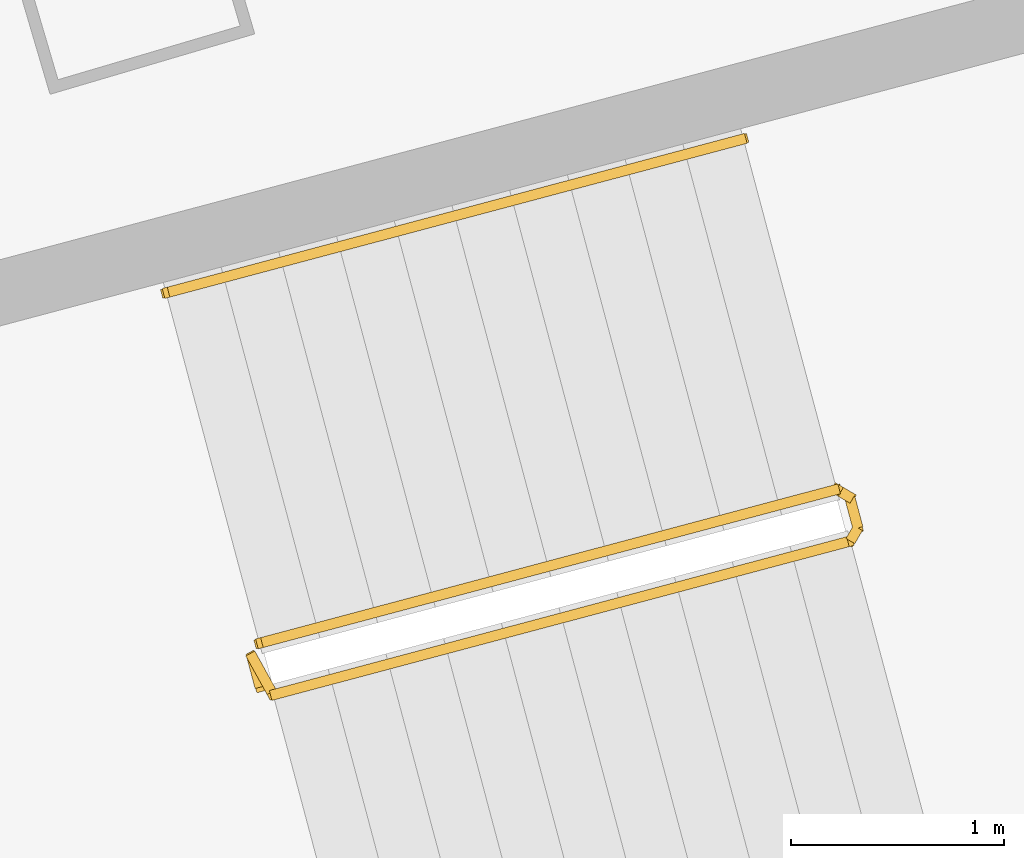
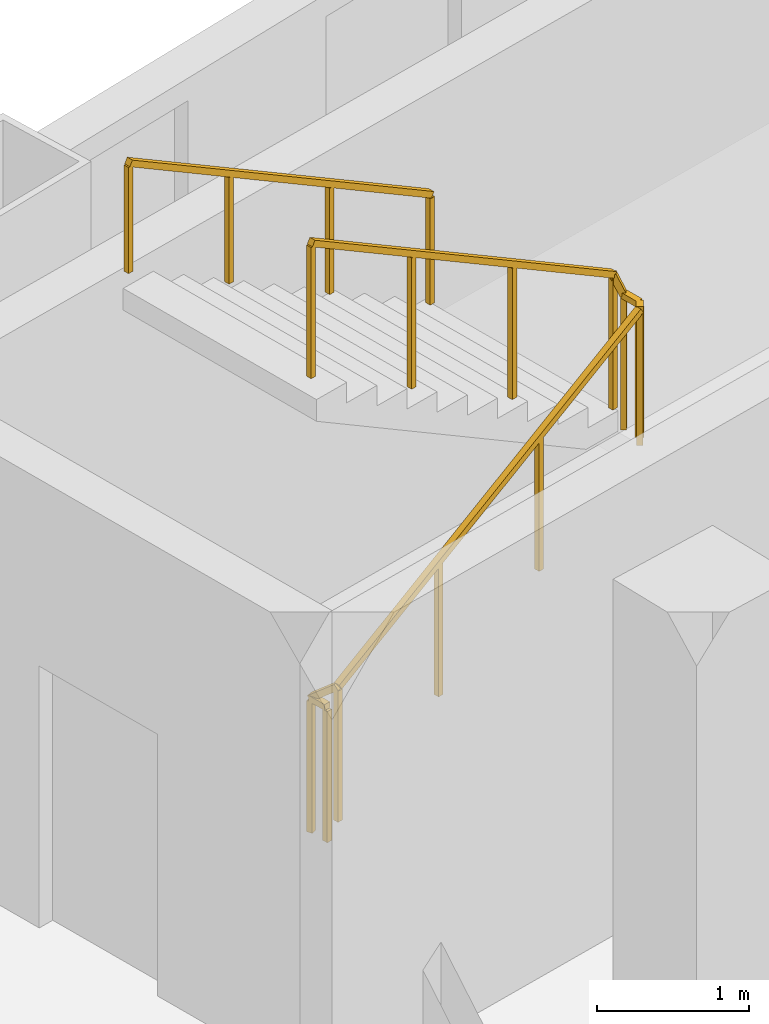
# One storey, part 22 of 22: 2 railings.
"""IFC4 building model written with IfcOpenShell, lengths in metres."""

from ifc_helpers import new_model, si_unit, direction, frame, origin, origin_2d, place, context, subcontext, project, spatial, rectangle, extrude, material, type_object, element, save


model = new_model("IFC4")

# Units and contexts
model_context = context("Model", 3, precision=1e-05, world=origin(), true_north=direction((0.0, 1.0)))
body_context = subcontext(model_context, "Body", "Model", "MODEL_VIEW")
ifc_project = project(units=[si_unit("LENGTHUNIT", "METRE"), si_unit("AREAUNIT", "SQUARE_METRE"), si_unit("VOLUMEUNIT", "CUBIC_METRE"), si_unit("PLANEANGLEUNIT", "RADIAN"), si_unit("MASSUNIT", "GRAM", prefix="KILO")], contexts=[model_context])

# Site, building, storey
site_placement = place(None, origin())
site = spatial("IfcSite", under=ifc_project, at=site_placement, CompositionType="ELEMENT")
building_placement = place(site_placement, origin())
building = spatial("IfcBuilding", under=site, at=building_placement, Name="Alderwake Tower", CompositionType="ELEMENT")
storey_placement = place(building_placement, frame((0.0, 0.0, 160.39990234375)))
storey = spatial("IfcBuildingStorey", under=building, at=storey_placement, Name="L39", CompositionType="ELEMENT", Elevation=160.39990234375)

# Railings
ifc_material_1 = material(Name="Stainless steel guard", Category="steel")
railing_type_1 = type_object("IfcRailingType", Name="Stair guard 1100", PredefinedType="GUARDRAIL", material=ifc_material_1)
railing_1_placement = place(storey_placement, frame((39.23291015625, 92.6806640625, 0.0)))
element("IfcRailing", 1, at=railing_1_placement, inside=storey, type_object=railing_type_1, Name="L39 ST-A stair guard 1", PredefinedType="GUARDRAIL", context=body_context, shape_type="SweptSolid", body=[
    extrude(rectangle(XDim=0.048095703125, YDim=0.048095703125, at=origin_2d()), frame((0.0, 0.0, 1.076171875), z_axis=(-0.257055032184, 0.966396766566, 0.0), x_axis=(-0.966396766566, -0.257055032184, 0.0)), (0.0, 0.0, 1.0), 0.150146484375),
    extrude(rectangle(XDim=0.048095703125, YDim=0.048095703125, at=origin_2d()), frame((-0.03857421875, 0.14501953125, 1.076171875), z_axis=(0.379152066478, -0.68506938173, 0.622031874345), x_axis=(0.874937996095, 0.484234966715, 0.0)), (0.0, 0.0, 1.0), 0.263427734375),
    extrude(rectangle(XDim=0.048095703125, YDim=0.048095703125, at=origin_2d()), frame((0.061279296875, -0.035400390625, 1.23974609375), z_axis=(0.834290631165, 0.222236594766, 0.504549342183), x_axis=(-0.257402139082, 0.966304371715, 0.0)), (0.0, 0.0, 1.0), 3.242919921875),
    extrude(rectangle(XDim=0.048095703125, YDim=0.048095703125, at=origin_2d()), frame((2.766845703125, 0.685302734375, 2.8759765625), z_axis=(0.500220121494, 0.865898279276, 0.0), x_axis=(-0.865898279276, 0.500220121494, 0.0)), (0.0, 0.0, 1.0), 0.07080078125),
    extrude(rectangle(XDim=0.048095703125, YDim=0.048095703125, at=origin_2d()), frame((2.80224609375, 0.74658203125, 2.8759765625), z_axis=(-0.257459803502, 0.966289009345, 0.0), x_axis=(-0.966289009345, -0.257459803502, 0.0)), (0.0, 0.0, 1.0), 0.14990234375),
    extrude(rectangle(XDim=0.048095703125, YDim=0.048095703125, at=origin_2d()), frame((2.763671875, 0.891357421875, 2.8759765625), z_axis=(-0.34252489212, 0.200034536998, 0.917966710881), x_axis=(-0.504300490226, -0.863528236688, 0.0)), (0.0, 0.0, 1.0), 0.17822265625),
    extrude(rectangle(XDim=0.048095703125, YDim=0.048095703125, at=origin_2d()), frame((2.70263671875, 0.927001953125, 3.03955078125), z_axis=(-0.834281824786, -0.222214197128, 0.504573768072), x_axis=(0.257380452725, -0.966310148221, 0.0)), (0.0, 0.0, 1.0), 3.2431640625),
    extrude(rectangle(XDim=0.0419921875, YDim=0.0419921875, at=origin_2d()), frame((0.0, 0.0, 0.0), z_axis=(0.0, 0.0, 1.0), x_axis=(-0.257055032184, 0.966396766566, 0.0)), (0.0, 0.0, 1.0), 1.052001953125),
    extrude(rectangle(XDim=0.0419921875, YDim=0.0419921875, at=origin_2d()), frame((-0.03857421875, 0.14501953125, 0.0), z_axis=(0.0, 0.0, 1.0), x_axis=(0.484234966715, -0.874937996095, 0.0)), (0.0, 0.0, 1.0), 1.052001953125),
    extrude(rectangle(XDim=0.0419921875, YDim=0.0419921875, at=origin_2d()), frame((0.061279296875, -0.035400390625, 0.163818359375), z_axis=(0.0, 0.0, 1.0), x_axis=(0.966304371715, 0.257402139082, 0.0)), (0.0, 0.0, 1.0), 1.052001953125),
    extrude(rectangle(XDim=0.0419921875, YDim=0.0419921875, at=origin_2d()), frame((0.963134765625, 0.204833984375, 0.709228515625), z_axis=(0.0, 0.0, 1.0), x_axis=(0.966304371715, 0.257402139082, 0.0)), (0.0, 0.0, 1.0), 1.052001953125),
    extrude(rectangle(XDim=0.0419921875, YDim=0.0419921875, at=origin_2d()), frame((1.864990234375, 0.445068359375, 1.254638671875), z_axis=(0.0, 0.0, 1.0), x_axis=(0.966304371715, 0.257402139082, 0.0)), (0.0, 0.0, 1.0), 1.052001953125),
    extrude(rectangle(XDim=0.0419921875, YDim=0.0419921875, at=origin_2d()), frame((2.766845703125, 0.685302734375, 1.800048828125), z_axis=(0.0, 0.0, 1.0), x_axis=(0.500220121494, 0.865898279276, 0.0)), (0.0, 0.0, 1.0), 1.052001953125),
    extrude(rectangle(XDim=0.0419921875, YDim=0.0419921875, at=origin_2d()), frame((2.80224609375, 0.74658203125, 1.800048828125), z_axis=(0.0, 0.0, 1.0), x_axis=(-0.257459803502, 0.966289009345, 0.0)), (0.0, 0.0, 1.0), 1.052001953125),
    extrude(rectangle(XDim=0.0419921875, YDim=0.0419921875, at=origin_2d()), frame((2.763671875, 0.891357421875, 1.800048828125), z_axis=(0.0, 0.0, 1.0), x_axis=(-0.863528236688, 0.504300490226, 0.0)), (0.0, 0.0, 1.0), 1.052001953125),
    extrude(rectangle(XDim=0.0419921875, YDim=0.0419921875, at=origin_2d()), frame((2.70263671875, 0.927001953125, 1.963623046875), z_axis=(0.0, 0.0, 1.0), x_axis=(-0.966310148221, -0.257380452725, 0.0)), (0.0, 0.0, 1.0), 1.052001953125),
    extrude(rectangle(XDim=0.0419921875, YDim=0.0419921875, at=origin_2d()), frame((1.80078125, 0.686767578125, 2.509033203125), z_axis=(0.0, 0.0, 1.0), x_axis=(-0.966310148221, -0.257380452725, 0.0)), (0.0, 0.0, 1.0), 1.052001953125),
    extrude(rectangle(XDim=0.0419921875, YDim=0.0419921875, at=origin_2d()), frame((0.898681640625, 0.446533203125, 3.0546875), z_axis=(0.0, 0.0, 1.0), x_axis=(-0.966310148221, -0.257380452725, 0.0)), (0.0, 0.0, 1.0), 1.052001953125),
    extrude(rectangle(XDim=0.0419921875, YDim=0.0419921875, at=origin_2d()), frame((-0.003173828125, 0.206298828125, 3.60009765625), z_axis=(0.0, 0.0, 1.0), x_axis=(-0.966310148221, -0.257380452725, 0.0)), (0.0, 0.0, 1.0), 1.052001953125),
])
ifc_material_2 = material(Name="Stainless steel handrail", Category="steel")
railing_type_2 = type_object("IfcRailingType", Name="Stair handrail 900", PredefinedType="HANDRAIL", material=ifc_material_2)
railing_2_placement = place(storey_placement, frame((41.497802734375, 95.250244140625, 1.963623046875)))
element("IfcRailing", 2, at=railing_2_placement, inside=storey, type_object=railing_type_2, Name="L39 ST-A stair handrail 2", PredefinedType="HANDRAIL", context=body_context, shape_type="SweptSolid", body=[
    extrude(rectangle(XDim=0.048095703125, YDim=0.048095703125, at=origin_2d()), frame((0.0, 0.0, 0.8759765625), z_axis=(-0.834258940753, -0.22222815314, 0.504605457487), x_axis=(0.257402139082, -0.966304371715, 0.0)), (0.0, 0.0, 1.0), 3.2431640625),
    extrude(rectangle(XDim=0.0419921875, YDim=0.0419921875, at=origin_2d()), frame((0.0, 0.0, 0.0), z_axis=(0.0, 0.0, 1.0), x_axis=(-0.966304371715, -0.257402139082, 0.0)), (0.0, 0.0, 1.0), 0.851806640625),
    extrude(rectangle(XDim=0.0419921875, YDim=0.0419921875, at=origin_2d()), frame((-0.90185546875, -0.240234375, 0.54541015625), z_axis=(0.0, 0.0, 1.0), x_axis=(-0.966304371715, -0.257402139082, 0.0)), (0.0, 0.0, 1.0), 0.851806640625),
    extrude(rectangle(XDim=0.0419921875, YDim=0.0419921875, at=origin_2d()), frame((-1.8037109375, -0.48046875, 1.091064453125), z_axis=(0.0, 0.0, 1.0), x_axis=(-0.966304371715, -0.257402139082, 0.0)), (0.0, 0.0, 1.0), 0.851806640625),
    extrude(rectangle(XDim=0.0419921875, YDim=0.0419921875, at=origin_2d()), frame((-2.70556640625, -0.720703125, 1.636474609375), z_axis=(0.0, 0.0, 1.0), x_axis=(-0.966304371715, -0.257402139082, 0.0)), (0.0, 0.0, 1.0), 0.851806640625),
])

save(model, "model.ifc")
